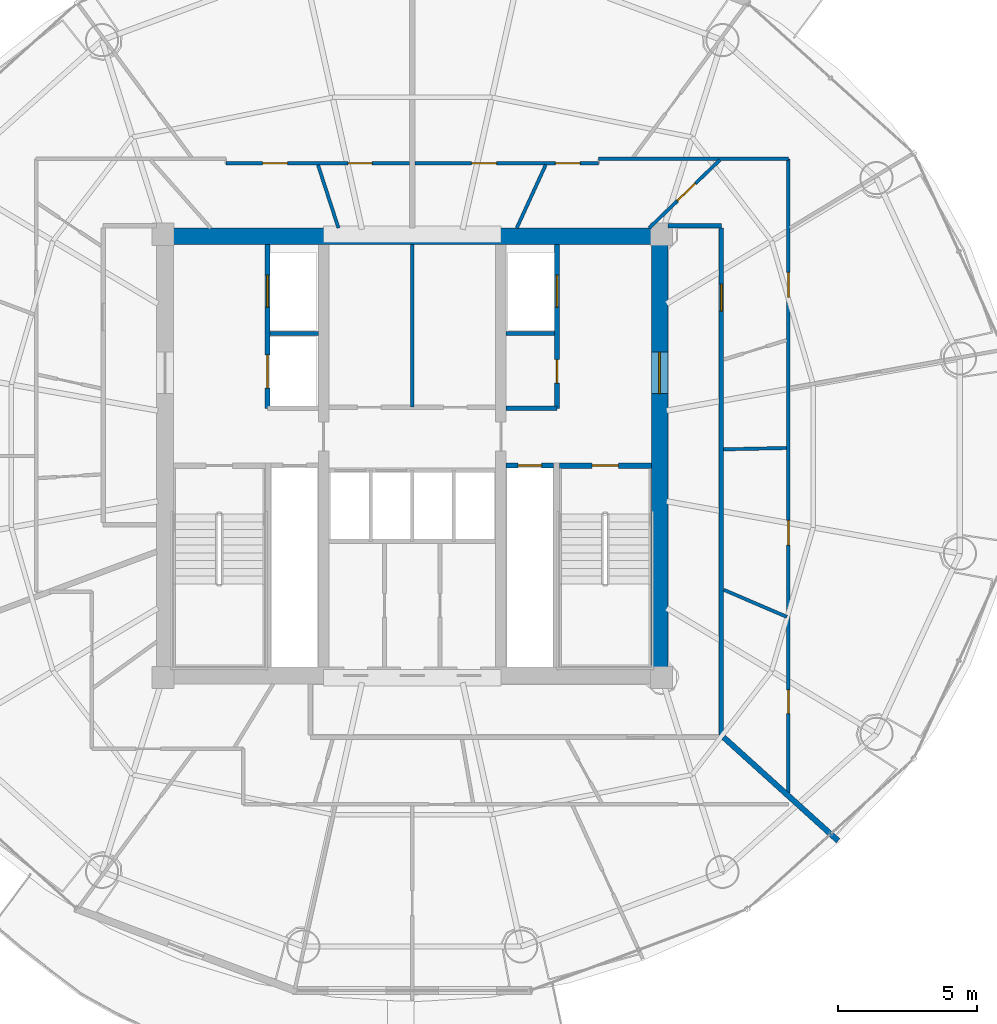
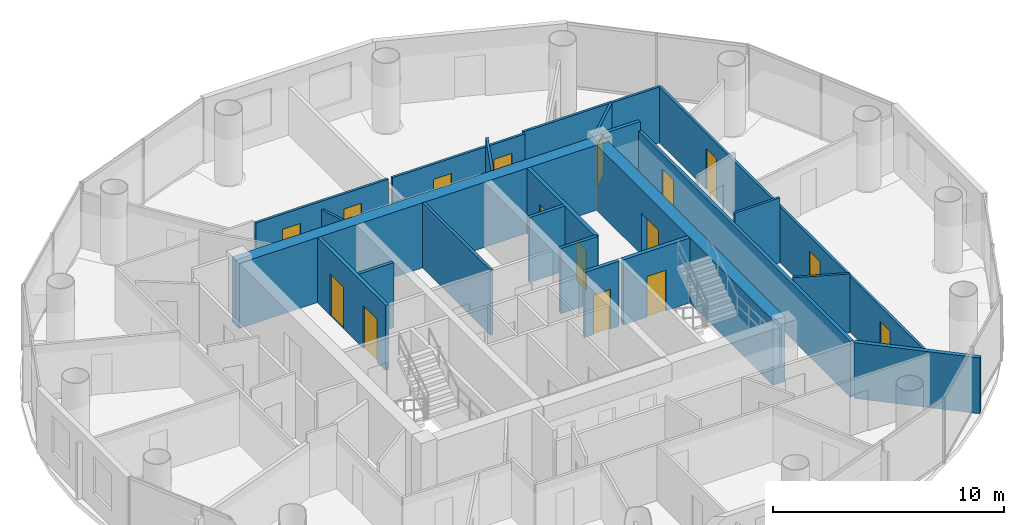
# One storey, part 22 of 26: 22 walls, 16 doors, 16 openings.
"""IFC4 building model written with IfcOpenShell, lengths in metres."""

from ifc_helpers import new_model, si_unit, direction, frame, frame_2d, origin, place, context, subcontext, project, spatial, rectangle, extrude, source, transform, mapped, material, layer, layer_set, type_object, element, fill, save


model = new_model("IFC4")

# Units and contexts
model_context = context("Model", 3, precision=1e-05, world=origin(), true_north=direction((-0.2419218956, 0.970295726276)))
body_context = subcontext(model_context, "Body", "Model", "MODEL_VIEW")
ifc_project = project(units=[si_unit("LENGTHUNIT", "METRE"), si_unit("AREAUNIT", "SQUARE_METRE"), si_unit("VOLUMEUNIT", "CUBIC_METRE"), si_unit("PLANEANGLEUNIT", "RADIAN"), si_unit("MASSUNIT", "GRAM", prefix="KILO")], contexts=[model_context])

# Site, building, storey
site_placement = place(None, origin())
site = spatial("IfcSite", under=ifc_project, at=site_placement, CompositionType="ELEMENT")
building_placement = place(site_placement, origin())
building = spatial("IfcBuilding", under=site, at=building_placement, Name="Cobrevalo Terracotta Tower", CompositionType="ELEMENT")
storey_placement = place(building_placement, frame((0.0, 0.0, 209.699951171875)))
storey = spatial("IfcBuildingStorey", under=building, at=storey_placement, Name="L55", CompositionType="ELEMENT", Elevation=209.699951171875)

# Wall
ifc_material_1 = material(Name="Concrete C55", Category="concrete")
ifc_layer_1 = layer(ifc_material_1, 0.60009765625)
ifc_layer_set_1 = layer_set([ifc_layer_1], Name="Concrete C55")
wall_type_1 = type_object("IfcWallType", Name="Core shear wall 600 mm Concrete C55", PredefinedType="SHEAR", material=ifc_layer_set_1)
wall_1_placement = place(storey_placement, frame((28.77490234375, 34.72509765625, 0.0), z_axis=(0.0, 0.0, 1.0), x_axis=(1.0, 0.0, 0.0)))
element("IfcWall", 1, at=wall_1_placement, inside=storey, type_object=wall_type_1, Name="L55 north core shear wall", PredefinedType="SHEAR", context=body_context, shape_type="SweptSolid", body=[
    extrude(rectangle(XDim=18.4501953125, YDim=0.60009765625, at=frame_2d((9.22509765625, 0.0))), origin(), (0.0, 0.0, 1.0), 3.43505859375),
])

# Wall, opening, door
wall_2_placement = place(storey_placement, frame((46.925048828125, 19.175048828125, 0.0), z_axis=(0.0, 0.0, 1.0), x_axis=(0.0, 1.0, 0.0)))
wall_2 = element("IfcWall", 2, at=wall_2_placement, inside=storey, type_object=wall_type_1, Name="L55 east core shear wall", PredefinedType="SHEAR", context=body_context, shape_type="SweptSolid", body=[
    extrude(rectangle(XDim=15.25, YDim=0.60009765625, at=frame_2d((7.625, 0.0))), origin(), (0.0, 0.0, 1.0), 3.43505859375),
])
opening_1_placement = place(wall_2_placement, frame((9.875, 0.0, 0.0)))
opening_1 = element("IfcOpeningElement", 3, at=opening_1_placement, cuts=wall_2, Name="Opening ID-14", PredefinedType="OPENING", context=body_context, shape_type="SweptSolid", body=[
    extrude(rectangle(XDim=1.5, YDim=2.199951171875, at=frame_2d((0.75, 1.10009765625))), frame((0.0, 0.31005859375, 0.0), z_axis=(0.0, -1.0, 0.0), x_axis=(1.0, 0.0, 0.0)), (0.0, 0.0, 1.0), 0.6201171875),
])
ifc_material_2 = material(Name="Galvanized fire-rated steel", Category="steel")
door_type_1 = type_object("IfcDoorType", Name="Core cross-lobby double fire door 1500x2200 EI 90", OperationType="NOTDEFINED", PredefinedType="DOOR", material=ifc_material_2)
shared_shape_1 = source(origin(), body_context, "Body", "SweptSolid", [
    extrude(rectangle(XDim=1.5, YDim=2.199951171875, at=frame_2d((0.75, 1.10009765625))), frame((0.0, 0.02490234375, 0.0), z_axis=(0.0, -1.0, 0.0), x_axis=(1.0, 0.0, 0.0)), (0.0, 0.0, 1.0), 0.050048828125),
])
door_1_placement = place(opening_1_placement, frame((1.5, 0.0, 0.0), z_axis=(0.0, 0.0, 1.0), x_axis=(-1.0, 0.0, 0.0)))
door_1 = element("IfcDoor", 4, at=door_1_placement, inside=storey, type_object=door_type_1, Name="L55 east firefighting lobby entrance door", OperationType="DOUBLE_DOOR_SINGLE_SWING", OverallHeight=2.199951171875, OverallWidth=1.5, PredefinedType="DOOR", context=body_context, shape_type="MappedRepresentation", body=[
    mapped(shared_shape_1, transform((0.0, 0.0, 0.0), scale=1.0)),
])
fill(opening_1, door_1)

# Walls
ifc_material_3 = material(Name="Gypsum board on steel stud", Category="steel")
ifc_layer_2 = layer(ifc_material_3, 0.159912109375)
ifc_layer_set_2 = layer_set([ifc_layer_2], Name="Gypsum board on steel stud")
wall_type_2 = type_object("IfcWallType", Name="Fire-rated corridor acoustic partition wall 160 mm", PredefinedType="PARTITIONING", material=ifc_layer_set_2)
for number, where, z_axis, x_axis, name in (
    (5, (32.860107421875, 31.219970703125, 0.0), (0.0, 0.0, 1.0), (1.0, 0.0, 0.0), "L55 interior partition IW-L55-FF1-M"),
    (6, (41.389892578125, 31.219970703125, 0.0), (0.0, 0.0, 1.0), (1.0, 0.0, 0.0), "L55 interior partition IW-L55-FF2-M"),
):
    element("IfcWall", number, at=place(storey_placement, frame(where, z_axis=z_axis, x_axis=x_axis)), inside=storey, type_object=wall_type_2, Name=name, PredefinedType="PARTITIONING", context=body_context, shape_type="SweptSolid", body=[
        extrude(rectangle(XDim=1.75, YDim=0.159912109375, at=frame_2d((0.875, 0.0))), origin(), (0.0, 0.0, 1.0), 3.43505859375),
    ])
wall_3_placement = place(storey_placement, frame((41.389892578125, 28.52001953125, 0.0), z_axis=(0.0, 0.0, 1.0), x_axis=(1.0, 0.0, 0.0)))
element("IfcWall", 7, at=wall_3_placement, inside=storey, type_object=wall_type_2, Name="L55 interior partition IW-L55-FF2-S", PredefinedType="PARTITIONING", context=body_context, shape_type="SweptSolid", body=[
    extrude(rectangle(XDim=1.840087890625, YDim=0.159912109375, at=frame_2d((0.919921875, 0.0))), origin(), (0.0, 0.0, 1.0), 3.43505859375),
])

# Wall, opening, door
wall_4_placement = place(storey_placement, frame((49.155029296875, 16.72509765625, 0.0), z_axis=(0.0, 0.0, 1.0), x_axis=(0.0, 1.0, 0.0)))
wall_4 = element("IfcWall", 8, at=wall_4_placement, inside=storey, type_object=wall_type_2, Name="L55 interior partition IW-L55-COR-E", PredefinedType="PARTITIONING", context=body_context, shape_type="SweptSolid", body=[
    extrude(rectangle(XDim=18.2998046875, YDim=0.159912109375, at=frame_2d((9.14990234375, 0.0))), origin(), (0.0, 0.0, 1.0), 2.950927734375),
])
opening_2_placement = place(wall_4_placement, frame((15.301513671875, 0.0, 0.0)))
opening_2 = element("IfcOpeningElement", 9, at=opening_2_placement, cuts=wall_4, Name="Opening ID-05", PredefinedType="OPENING", context=body_context, shape_type="SweptSolid", body=[
    extrude(rectangle(XDim=0.97998046875, YDim=2.199951171875, at=frame_2d((0.489990234375, 1.10009765625))), frame((0.0, 0.08984375, 0.0), z_axis=(0.0, -1.0, 0.0), x_axis=(1.0, 0.0, 0.0)), (0.0, 0.0, 1.0), 0.179931640625),
])
ifc_material_4 = material(Name="Solid hardwood timber", Category="wood")
door_type_2 = type_object("IfcDoorType", Name="Residence entrance fire-rated acoustic timber door 980x2200 EI 60", OperationType="NOTDEFINED", PredefinedType="DOOR", material=ifc_material_4)
shared_shape_2 = source(origin(), body_context, "Body", "SweptSolid", [
    extrude(rectangle(XDim=0.97998046875, YDim=2.199951171875, at=frame_2d((0.489990234375, 1.10009765625))), frame((0.0, 0.02490234375, 0.0), z_axis=(0.0, -1.0, 0.0), x_axis=(1.0, 0.0, 0.0)), (0.0, 0.0, 1.0), 0.050048828125),
])
door_2_placement = place(opening_2_placement, frame((0.97998046875, 0.0, 0.0), z_axis=(0.0, 0.0, 1.0), x_axis=(-1.0, 0.0, 0.0)))
door_2 = element("IfcDoor", 10, at=door_2_placement, inside=storey, type_object=door_type_2, Name="Flat L55C fire-rated apartment entrance door", OperationType="SINGLE_SWING_LEFT", OverallHeight=2.199951171875, OverallWidth=0.97998046875, PredefinedType="DOOR", context=body_context, shape_type="MappedRepresentation", body=[
    mapped(shared_shape_2, transform((0.0, 0.0, 0.0), scale=1.0)),
])
fill(opening_2, door_2)

# Wall
wall_5_placement = place(storey_placement, frame((47.22509765625, 35.10498046875, 0.0), z_axis=(0.0, 0.0, 1.0), x_axis=(1.0, 0.0, 0.0)))
element("IfcWall", 11, at=wall_5_placement, inside=storey, type_object=wall_type_2, Name="L55 interior partition IW-L55-COR-EN-CAP", PredefinedType="PARTITIONING", context=body_context, shape_type="SweptSolid", body=[
    extrude(rectangle(XDim=1.929931640625, YDim=0.159912109375, at=frame_2d((0.96484375, 0.0))), origin(), (0.0, 0.0, 1.0), 3.43505859375),
])

# Wall, opening, door
ifc_layer_3 = layer(ifc_material_3, 0.179931640625)
ifc_layer_set_3 = layer_set([ifc_layer_3], Name="Gypsum board on steel stud")
wall_type_3 = type_object("IfcWallType", Name="Fire-rated shaft & lobby acoustic partition wall 180 mm", PredefinedType="PARTITIONING", material=ifc_layer_set_3)
wall_6_placement = place(storey_placement, frame((41.389892578125, 26.449951171875, 0.0), z_axis=(0.0, 0.0, 1.0), x_axis=(1.0, 0.0, 0.0)))
wall_6 = element("IfcWall", 12, at=wall_6_placement, inside=storey, type_object=wall_type_3, Name="L55 interior partition IW-L55-RSE-N", PredefinedType="PARTITIONING", context=body_context, shape_type="SweptSolid", body=[
    extrude(rectangle(XDim=1.710205078125, YDim=0.179931640625, at=frame_2d((0.85498046875, 0.0))), origin(), (0.0, 0.0, 1.0), 3.43505859375),
])
opening_3_placement = place(wall_6_placement, frame((0.429931640625, 0.0, 0.0)))
opening_3 = element("IfcOpeningElement", 13, at=opening_3_placement, cuts=wall_6, Name="Opening ID-22", PredefinedType="OPENING", context=body_context, shape_type="SweptSolid", body=[
    extrude(rectangle(XDim=0.85009765625, YDim=2.10009765625, at=frame_2d((0.425048828125, 1.050048828125))), frame((0.0, 0.10009765625, 0.0), z_axis=(0.0, -1.0, 0.0), x_axis=(1.0, 0.0, 0.0)), (0.0, 0.0, 1.0), 0.199951171875),
])
ifc_material_5 = material(Name="Powder-coated steel", Category="steel")
door_type_3 = type_object("IfcDoorType", Name="Riser shaft & meter closet fire access door 850x2100 EI 60", OperationType="NOTDEFINED", PredefinedType="DOOR", material=ifc_material_5)
shared_shape_3 = source(origin(), body_context, "Body", "SweptSolid", [
    extrude(rectangle(XDim=0.85009765625, YDim=2.10009765625, at=frame_2d((0.425048828125, 1.050048828125))), frame((0.0, 0.02490234375, 0.0), z_axis=(0.0, -1.0, 0.0), x_axis=(1.0, 0.0, 0.0)), (0.0, 0.0, 1.0), 0.050048828125),
])
door_3_placement = place(opening_3_placement, origin())
door_3 = element("IfcDoor", 14, at=door_3_placement, inside=storey, type_object=door_type_3, Name="L55 riser access door RSE", OperationType="SINGLE_SWING_RIGHT", OverallHeight=2.10009765625, OverallWidth=0.85009765625, PredefinedType="DOOR", context=body_context, shape_type="MappedRepresentation", body=[
    mapped(shared_shape_3, transform((0.0, 0.0, 0.0), scale=1.0)),
])
fill(opening_3, door_3)

# Wall, openings, doors
wall_7_placement = place(storey_placement, frame((32.77001953125, 28.52001953125, 0.0), z_axis=(0.0, 0.0, 1.0), x_axis=(0.0, 1.0, 0.0)))
wall_7 = element("IfcWall", 15, at=wall_7_placement, inside=storey, type_object=wall_type_3, Name="L55 interior partition IW-L55-FF1-W", PredefinedType="PARTITIONING", context=body_context, shape_type="SweptSolid", body=[
    extrude(rectangle(XDim=5.905029296875, YDim=0.179931640625, at=frame_2d((2.95263671875, 0.0))), origin(), (0.0, 0.0, 1.0), 3.43505859375),
])
opening_4_placement = place(wall_7_placement, frame((3.655029296875, 0.0, 0.0)))
opening_4 = element("IfcOpeningElement", 16, at=opening_4_placement, cuts=wall_7, Name="Opening LD-02", PredefinedType="OPENING", context=body_context, shape_type="SweptSolid", body=[
    extrude(rectangle(XDim=1.14990234375, YDim=2.199951171875, at=frame_2d((0.574951171875, 1.10009765625))), frame((0.0, 0.10009765625, 0.0), z_axis=(0.0, -1.0, 0.0), x_axis=(1.0, 0.0, 0.0)), (0.0, 0.0, 1.0), 0.199951171875),
])
opening_5_placement = place(wall_7_placement, frame((0.72998046875, 0.0, 0.0)))
opening_5 = element("IfcOpeningElement", 17, at=opening_5_placement, cuts=wall_7, Name="Opening LD-03", PredefinedType="OPENING", context=body_context, shape_type="SweptSolid", body=[
    extrude(rectangle(XDim=1.199951171875, YDim=2.25, at=frame_2d((0.60009765625, 1.125))), frame((0.0, 0.10009765625, 0.0), z_axis=(0.0, -1.0, 0.0), x_axis=(1.0, 0.0, 0.0)), (0.0, 0.0, 1.0), 0.199951171875),
])
ifc_material_6 = material(Name="Brushed stainless steel", Category="steel")
door_type_4 = type_object("IfcDoorType", Name="Firefighting lift landing bi-parting sliding door 1150x2200 EI 120", OperationType="DOUBLE_DOOR_SLIDING", PredefinedType="DOOR", material=ifc_material_6)
shared_shape_4 = source(origin(), body_context, "Body", "SweptSolid", [
    extrude(rectangle(XDim=1.14990234375, YDim=2.199951171875, at=frame_2d((0.574951171875, 1.10009765625))), frame((0.0, 0.02490234375, 0.0), z_axis=(0.0, -1.0, 0.0), x_axis=(1.0, 0.0, 0.0)), (0.0, 0.0, 1.0), 0.050048828125),
])
door_4_placement = place(opening_4_placement, origin())
door_4 = element("IfcDoor", 18, at=door_4_placement, inside=storey, type_object=door_type_4, Name="L55 lift landing door FF-1", OperationType="DOUBLE_DOOR_SLIDING", OverallHeight=2.199951171875, OverallWidth=1.14990234375, PredefinedType="DOOR", context=body_context, shape_type="MappedRepresentation", body=[
    mapped(shared_shape_4, transform((0.0, 0.0, 0.0), scale=1.0)),
])
fill(opening_4, door_4)
door_type_5 = type_object("IfcDoorType", Name="Service lift landing bi-parting sliding door 1200x2250 EI 120", OperationType="DOUBLE_DOOR_SLIDING", PredefinedType="DOOR", material=ifc_material_6)
shared_shape_5 = source(origin(), body_context, "Body", "SweptSolid", [
    extrude(rectangle(XDim=1.199951171875, YDim=2.25, at=frame_2d((0.60009765625, 1.125))), frame((0.0, 0.02490234375, 0.0), z_axis=(0.0, -1.0, 0.0), x_axis=(1.0, 0.0, 0.0)), (0.0, 0.0, 1.0), 0.050048828125),
])
door_5_placement = place(opening_5_placement, origin())
door_5 = element("IfcDoor", 19, at=door_5_placement, inside=storey, type_object=door_type_5, Name="L55 lift landing door SV-1", OperationType="DOUBLE_DOOR_SLIDING", OverallHeight=2.25, OverallWidth=1.199951171875, PredefinedType="DOOR", context=body_context, shape_type="MappedRepresentation", body=[
    mapped(shared_shape_5, transform((0.0, 0.0, 0.0), scale=1.0)),
])
fill(opening_5, door_5)

wall_8_placement = place(storey_placement, frame((43.22998046875, 28.52001953125, 0.0), z_axis=(0.0, 0.0, 1.0), x_axis=(0.0, 1.0, 0.0)))
wall_8 = element("IfcWall", 20, at=wall_8_placement, inside=storey, type_object=wall_type_3, Name="L55 interior partition IW-L55-FF2-E", PredefinedType="PARTITIONING", context=body_context, shape_type="SweptSolid", body=[
    extrude(rectangle(XDim=5.905029296875, YDim=0.179931640625, at=frame_2d((2.95263671875, 0.0))), origin(), (0.0, 0.0, 1.0), 3.43505859375),
])
opening_6_placement = place(wall_8_placement, frame((0.905029296875, 0.0, 0.0)))
opening_6 = element("IfcOpeningElement", 21, at=opening_6_placement, cuts=wall_8, Name="Opening ID-22", PredefinedType="OPENING", context=body_context, shape_type="SweptSolid", body=[
    extrude(rectangle(XDim=0.85009765625, YDim=2.10009765625, at=frame_2d((0.425048828125, 1.050048828125))), frame((0.0, 0.10009765625, 0.0), z_axis=(0.0, -1.0, 0.0), x_axis=(1.0, 0.0, 0.0)), (0.0, 0.0, 1.0), 0.199951171875),
])
opening_7_placement = place(wall_8_placement, frame((3.655029296875, 0.0, 0.0)))
opening_7 = element("IfcOpeningElement", 22, at=opening_7_placement, cuts=wall_8, Name="Opening LD-02", PredefinedType="OPENING", context=body_context, shape_type="SweptSolid", body=[
    extrude(rectangle(XDim=1.14990234375, YDim=2.199951171875, at=frame_2d((0.574951171875, 1.10009765625))), frame((0.0, 0.10009765625, 0.0), z_axis=(0.0, -1.0, 0.0), x_axis=(1.0, 0.0, 0.0)), (0.0, 0.0, 1.0), 0.199951171875),
])
door_6_placement = place(opening_6_placement, frame((0.85009765625, 0.0, 0.0), z_axis=(0.0, 0.0, 1.0), x_axis=(-1.0, 0.0, 0.0)))
door_6 = element("IfcDoor", 23, at=door_6_placement, inside=storey, type_object=door_type_3, Name="L55 housekeeping store door", OperationType="SINGLE_SWING_RIGHT", OverallHeight=2.10009765625, OverallWidth=0.85009765625, PredefinedType="DOOR", context=body_context, shape_type="MappedRepresentation", body=[
    mapped(shared_shape_3, transform((0.0, 0.0, 0.0), scale=1.0)),
])
fill(opening_6, door_6)
door_7_placement = place(opening_7_placement, origin())
door_7 = element("IfcDoor", 24, at=door_7_placement, inside=storey, type_object=door_type_4, Name="L55 lift landing door FF-2", OperationType="DOUBLE_DOOR_SLIDING", OverallHeight=2.199951171875, OverallWidth=1.14990234375, PredefinedType="DOOR", context=body_context, shape_type="MappedRepresentation", body=[
    mapped(shared_shape_4, transform((0.0, 0.0, 0.0), scale=1.0)),
])
fill(opening_7, door_7)

# Walls
ifc_material_7 = material(Name="Autoclaved aerated concrete block", Category="concrete")
ifc_layer_4 = layer(ifc_material_7, 0.199951171875)
ifc_layer_set_4 = layer_set([ifc_layer_4], Name="Autoclaved aerated concrete block")
wall_type_4 = type_object("IfcWallType", Name="Fire-rated stair, shaft & demising masonry wall 200 mm", PredefinedType="PARTITIONING", material=ifc_layer_set_4)
wall_9_placement = place(storey_placement, frame((49.235107421875, 16.647216796875, 0.0), z_axis=(0.0, 0.0, 1.0), x_axis=(0.741935290449, -0.670471494387, 0.0)))
element("IfcWall", 25, at=wall_9_placement, inside=storey, type_object=wall_type_4, Name="L55 interior partition IW-L55-DEM-3", PredefinedType="PARTITIONING", context=body_context, shape_type="SweptSolid", body=[
    extrude(rectangle(XDim=5.572021484375, YDim=0.199951171875, at=frame_2d((2.7861328125, 0.0))), origin(), (0.0, 0.0, 1.0), 2.950927734375),
])
ifc_layer_5 = layer(ifc_material_7, 0.139892578125)
ifc_layer_set_5 = layer_set([ifc_layer_5], Name="Autoclaved aerated concrete block")
wall_type_5 = type_object("IfcWallType", Name="Moisture-resistant wet-room & core service partition 140 mm", PredefinedType="PARTITIONING", material=ifc_layer_set_5)
wall_10_placement = place(storey_placement, frame((38.0, 28.56005859375, 0.0), z_axis=(0.0, 0.0, 1.0), x_axis=(0.0, 1.0, 0.0)))
element("IfcWall", 26, at=wall_10_placement, inside=storey, type_object=wall_type_5, Name="L55 interior partition IW-L55-KVN-1", PredefinedType="PARTITIONING", context=body_context, shape_type="SweptSolid", body=[
    extrude(rectangle(XDim=5.864990234375, YDim=0.139892578125, at=frame_2d((2.9326171875, 0.0))), origin(), (0.0, 0.0, 1.0), 3.43505859375),
])

# Wall, openings, doors
ifc_layer_6 = layer(ifc_material_3, 0.1201171875)
ifc_layer_set_6 = layer_set([ifc_layer_6], Name="Gypsum board on steel stud")
wall_type_6 = type_object("IfcWallType", Name="Residential internal acoustic stud partition 120 mm", PredefinedType="PARTITIONING", material=ifc_layer_set_6)
wall_11_placement = place(storey_placement, frame((31.27490234375, 37.364990234375, 0.0), z_axis=(0.0, 0.0, 1.0), x_axis=(1.0, 0.0, 0.0)))
wall_11 = element("IfcWall", 27, at=wall_11_placement, inside=storey, type_object=wall_type_6, Name="L55 interior partition IW-L55-U1-RING4_0", PredefinedType="PARTITIONING", context=body_context, shape_type="SweptSolid", body=[
    extrude(rectangle(XDim=6.623046875, YDim=0.1201171875, at=frame_2d((3.3115234375, 0.0))), origin(), (0.0, 0.0, 1.0), 2.950927734375),
])
opening_8_placement = place(wall_11_placement, frame((4.413330078125, 0.0, 0.0)))
opening_8 = element("IfcOpeningElement", 28, at=opening_8_placement, cuts=wall_11, Name="Opening ID-19", PredefinedType="OPENING", context=body_context, shape_type="SweptSolid", body=[
    extrude(rectangle(XDim=0.860107421875, YDim=2.14990234375, at=frame_2d((0.43017578125, 1.074951171875))), frame((0.0, 0.070068359375, 0.0), z_axis=(0.0, -1.0, 0.0), x_axis=(1.0, 0.0, 0.0)), (0.0, 0.0, 1.0), 0.14013671875),
])
opening_9_placement = place(wall_11_placement, frame((1.327880859375, 0.0, 0.0)))
opening_9 = element("IfcOpeningElement", 29, at=opening_9_placement, cuts=wall_11, Name="Opening ID-12", PredefinedType="OPENING", context=body_context, shape_type="SweptSolid", body=[
    extrude(rectangle(XDim=0.89990234375, YDim=2.14990234375, at=frame_2d((0.449951171875, 1.074951171875))), frame((0.0, 0.070068359375, 0.0), z_axis=(0.0, -1.0, 0.0), x_axis=(1.0, 0.0, 0.0)), (0.0, 0.0, 1.0), 0.14013671875),
])
ifc_material_8 = material(Name="Moisture-sealed timber", Category="wood")
door_type_6 = type_object("IfcDoorType", Name="Suite bathroom internal timber door 860x2150", OperationType="NOTDEFINED", PredefinedType="DOOR", material=ifc_material_8)
shared_shape_6 = source(origin(), body_context, "Body", "SweptSolid", [
    extrude(rectangle(XDim=0.860107421875, YDim=2.14990234375, at=frame_2d((0.43017578125, 1.074951171875))), frame((0.0, 0.02490234375, 0.0), z_axis=(0.0, -1.0, 0.0), x_axis=(1.0, 0.0, 0.0)), (0.0, 0.0, 1.0), 0.050048828125),
])
door_8_placement = place(opening_8_placement, frame((0.860107421875, 0.0, 0.0), z_axis=(0.0, 0.0, 1.0), x_axis=(-1.0, 0.0, 0.0)))
door_8 = element("IfcDoor", 30, at=door_8_placement, inside=storey, type_object=door_type_6, Name="Flat L55A Guest Bathroom internal door", OperationType="SINGLE_SWING_RIGHT", OverallHeight=2.14990234375, OverallWidth=0.860107421875, PredefinedType="DOOR", context=body_context, shape_type="MappedRepresentation", body=[
    mapped(shared_shape_6, transform((0.0, 0.0, 0.0), scale=1.0)),
])
fill(opening_8, door_8)
ifc_material_9 = material(Name="Engineered timber", Category="wood")
door_type_7 = type_object("IfcDoorType", Name="Internal residence & suite timber door 900x2150", OperationType="NOTDEFINED", PredefinedType="DOOR", material=ifc_material_9)
shared_shape_7 = source(origin(), body_context, "Body", "SweptSolid", [
    extrude(rectangle(XDim=0.89990234375, YDim=2.14990234375, at=frame_2d((0.449951171875, 1.074951171875))), frame((0.0, 0.02490234375, 0.0), z_axis=(0.0, -1.0, 0.0), x_axis=(1.0, 0.0, 0.0)), (0.0, 0.0, 1.0), 0.050048828125),
])
door_9_placement = place(opening_9_placement, frame((0.89990234375, 0.0, 0.0), z_axis=(0.0, 0.0, 1.0), x_axis=(-1.0, 0.0, 0.0)))
door_9 = element("IfcDoor", 31, at=door_9_placement, inside=storey, type_object=door_type_7, Name="Flat L55A Home Office Study internal door", OperationType="SINGLE_SWING_LEFT", OverallHeight=2.14990234375, OverallWidth=0.89990234375, PredefinedType="DOOR", context=body_context, shape_type="MappedRepresentation", body=[
    mapped(shared_shape_7, transform((0.0, 0.0, 0.0), scale=1.0)),
])
fill(opening_9, door_9)

# Wall
wall_12_placement = place(storey_placement, frame((35.335693359375, 35.02685546875, 0.0), z_axis=(0.0, 0.0, 1.0), x_axis=(-0.308083476138, 0.951359328398, 0.0)))
element("IfcWall", 32, at=wall_12_placement, inside=storey, type_object=wall_type_6, Name="L55 interior partition IW-L55-U1-IRAD1", PredefinedType="PARTITIONING", context=body_context, shape_type="SweptSolid", body=[
    extrude(rectangle(XDim=2.3955078125, YDim=0.1201171875, at=frame_2d((1.19775390625, 0.0))), origin(), (0.0, 0.0, 1.0), 2.52001953125),
])

# Wall, openings, doors
wall_13_placement = place(storey_placement, frame((38.10205078125, 37.364990234375, 0.0), z_axis=(0.0, 0.0, 1.0), x_axis=(1.0, 0.0, 0.0)))
wall_13 = element("IfcWall", 33, at=wall_13_placement, inside=storey, type_object=wall_type_6, Name="L55 interior partition IW-L55-U3-RING0_0", PredefinedType="PARTITIONING", context=body_context, shape_type="SweptSolid", body=[
    extrude(rectangle(XDim=6.623046875, YDim=0.1201171875, at=frame_2d((3.3115234375, 0.0))), origin(), (0.0, 0.0, 1.0), 2.950927734375),
])
opening_10_placement = place(wall_13_placement, frame((5.059814453125, 0.0, 0.0)))
opening_10 = element("IfcOpeningElement", 34, at=opening_10_placement, cuts=wall_13, Name="Opening ID-12", PredefinedType="OPENING", context=body_context, shape_type="SweptSolid", body=[
    extrude(rectangle(XDim=0.89990234375, YDim=2.14990234375, at=frame_2d((0.449951171875, 1.074951171875))), frame((0.0, 0.070068359375, 0.0), z_axis=(0.0, -1.0, 0.0), x_axis=(1.0, 0.0, 0.0)), (0.0, 0.0, 1.0), 0.14013671875),
])
opening_11_placement = place(wall_13_placement, frame((2.040283203125, 0.0, 0.0)))
opening_11 = element("IfcOpeningElement", 35, at=opening_11_placement, cuts=wall_13, Name="Opening ID-12", PredefinedType="OPENING", context=body_context, shape_type="SweptSolid", body=[
    extrude(rectangle(XDim=0.89990234375, YDim=2.14990234375, at=frame_2d((0.449951171875, 1.074951171875))), frame((0.0, 0.070068359375, 0.0), z_axis=(0.0, -1.0, 0.0), x_axis=(1.0, 0.0, 0.0)), (0.0, 0.0, 1.0), 0.14013671875),
])
door_10_placement = place(opening_10_placement, origin())
door_10 = element("IfcDoor", 36, at=door_10_placement, inside=storey, type_object=door_type_7, Name="Flat L55C Penthouse Family Lounge internal door", OperationType="SINGLE_SWING_RIGHT", OverallHeight=2.14990234375, OverallWidth=0.89990234375, PredefinedType="DOOR", context=body_context, shape_type="MappedRepresentation", body=[
    mapped(shared_shape_7, transform((0.0, 0.0, 0.0), scale=1.0)),
])
fill(opening_10, door_10)
door_11_placement = place(opening_11_placement, frame((0.89990234375, 0.0, 0.0), z_axis=(0.0, 0.0, 1.0), x_axis=(-1.0, 0.0, 0.0)))
door_11 = element("IfcDoor", 37, at=door_11_placement, inside=storey, type_object=door_type_7, Name="Flat L55C Utility Closet internal door", OperationType="SINGLE_SWING_LEFT", OverallHeight=2.14990234375, OverallWidth=0.89990234375, PredefinedType="DOOR", context=body_context, shape_type="MappedRepresentation", body=[
    mapped(shared_shape_7, transform((0.0, 0.0, 0.0), scale=1.0)),
])
fill(opening_11, door_11)

# Wall
wall_14_placement = place(storey_placement, frame((44.72509765625, 37.52490234375, 0.0), z_axis=(0.0, 0.0, 1.0), x_axis=(1.0, 0.0, 0.0)))
element("IfcWall", 38, at=wall_14_placement, inside=storey, type_object=wall_type_6, Name="L55 interior partition IW-L55-U3-RING2_0", PredefinedType="PARTITIONING", context=body_context, shape_type="SweptSolid", body=[
    extrude(rectangle(XDim=6.849853515625, YDim=0.1201171875, at=frame_2d((3.4248046875, 0.0))), origin(), (0.0, 0.0, 1.0), 2.950927734375),
])

# Wall, openings, doors
wall_15_placement = place(storey_placement, frame((51.574951171875, 37.52490234375, 0.0), z_axis=(0.0, 0.0, 1.0), x_axis=(0.0, -1.0, 0.0)))
wall_15 = element("IfcWall", 39, at=wall_15_placement, inside=storey, type_object=wall_type_6, Name="L55 interior partition IW-L55-U3-RING3_0", PredefinedType="PARTITIONING", context=body_context, shape_type="SweptSolid", body=[
    extrude(rectangle(XDim=22.89013671875, YDim=0.1201171875, at=frame_2d((11.445068359375, 0.0))), origin(), (0.0, 0.0, 1.0), 2.950927734375),
])
opening_12_placement = place(wall_15_placement, frame((4.10205078125, 0.0, 0.0)))
opening_12 = element("IfcOpeningElement", 40, at=opening_12_placement, cuts=wall_15, Name="Opening ID-12", PredefinedType="OPENING", context=body_context, shape_type="SweptSolid", body=[
    extrude(rectangle(XDim=0.89990234375, YDim=2.14990234375, at=frame_2d((0.449951171875, 1.074951171875))), frame((0.0, 0.070068359375, 0.0), z_axis=(0.0, -1.0, 0.0), x_axis=(1.0, 0.0, 0.0)), (0.0, 0.0, 1.0), 0.14013671875),
])
opening_13_placement = place(wall_15_placement, frame((19.162841796875, 0.0, 0.0)))
opening_13 = element("IfcOpeningElement", 41, at=opening_13_placement, cuts=wall_15, Name="Opening ID-19", PredefinedType="OPENING", context=body_context, shape_type="SweptSolid", body=[
    extrude(rectangle(XDim=0.860107421875, YDim=2.14990234375, at=frame_2d((0.43017578125, 1.074951171875))), frame((0.0, 0.070068359375, 0.0), z_axis=(0.0, -1.0, 0.0), x_axis=(1.0, 0.0, 0.0)), (0.0, 0.0, 1.0), 0.14013671875),
])
opening_14_placement = place(wall_15_placement, frame((13.04638671875, 0.0, 0.0)))
opening_14 = element("IfcOpeningElement", 42, at=opening_14_placement, cuts=wall_15, Name="Opening ID-12", PredefinedType="OPENING", context=body_context, shape_type="SweptSolid", body=[
    extrude(rectangle(XDim=0.89990234375, YDim=2.14990234375, at=frame_2d((0.449951171875, 1.074951171875))), frame((0.0, 0.070068359375, 0.0), z_axis=(0.0, -1.0, 0.0), x_axis=(1.0, 0.0, 0.0)), (0.0, 0.0, 1.0), 0.14013671875),
])
door_12_placement = place(opening_13_placement, frame((0.860107421875, 0.0, 0.0), z_axis=(0.0, 0.0, 1.0), x_axis=(-1.0, 0.0, 0.0)))
door_12 = element("IfcDoor", 43, at=door_12_placement, inside=storey, type_object=door_type_6, Name="Flat L55C Guest Bathroom internal door", OperationType="SINGLE_SWING_LEFT", OverallHeight=2.14990234375, OverallWidth=0.860107421875, PredefinedType="DOOR", context=body_context, shape_type="MappedRepresentation", body=[
    mapped(shared_shape_6, transform((0.0, 0.0, 0.0), scale=1.0)),
])
fill(opening_13, door_12)
door_13_placement = place(opening_12_placement, origin())
door_13 = element("IfcDoor", 44, at=door_13_placement, inside=storey, type_object=door_type_7, Name="Flat L55C Master Bedroom internal door", OperationType="SINGLE_SWING_RIGHT", OverallHeight=2.14990234375, OverallWidth=0.89990234375, PredefinedType="DOOR", context=body_context, shape_type="MappedRepresentation", body=[
    mapped(shared_shape_7, transform((0.0, 0.0, 0.0), scale=1.0)),
])
fill(opening_12, door_13)
door_14_placement = place(opening_14_placement, frame((0.89990234375, 0.0, 0.0), z_axis=(0.0, 0.0, 1.0), x_axis=(-1.0, 0.0, 0.0)))
door_14 = element("IfcDoor", 45, at=door_14_placement, inside=storey, type_object=door_type_7, Name="Flat L55C Home Office Study internal door", OperationType="SINGLE_SWING_RIGHT", OverallHeight=2.14990234375, OverallWidth=0.89990234375, PredefinedType="DOOR", context=body_context, shape_type="MappedRepresentation", body=[
    mapped(shared_shape_7, transform((0.0, 0.0, 0.0), scale=1.0)),
])
fill(opening_14, door_14)

# Walls
wall_16_placement = place(storey_placement, frame((49.23681640625, 21.972900390625, 0.0), z_axis=(0.0, 0.0, 1.0), x_axis=(0.91880901308, -0.394702416364, 0.0)))
element("IfcWall", 46, at=wall_16_placement, inside=storey, type_object=wall_type_6, Name="L55 interior partition IW-L55-U3-IRAD1", PredefinedType="PARTITIONING", context=body_context, shape_type="SweptSolid", body=[
    extrude(rectangle(XDim=2.48291015625, YDim=0.1201171875, at=frame_2d((1.241455078125, 0.0))), origin(), (0.0, 0.0, 1.0), 3.110107421875),
])
wall_17_placement = place(storey_placement, frame((49.237060546875, 27.039306640625, 0.0), z_axis=(0.0, 0.0, 1.0), x_axis=(0.999772223164, 0.021342487922, 0.0)))
element("IfcWall", 47, at=wall_17_placement, inside=storey, type_object=wall_type_6, Name="L55 interior partition IW-L55-U3-IRAD2", PredefinedType="PARTITIONING", context=body_context, shape_type="SweptSolid", body=[
    extrude(rectangle(XDim=2.2763671875, YDim=0.1201171875, at=frame_2d((1.13818359375, 0.0))), origin(), (0.0, 0.0, 1.0), 3.43505859375),
])

# Wall, opening, door
wall_18_placement = place(storey_placement, frame((46.548583984375, 35.0263671875, 0.0), z_axis=(0.0, 0.0, 1.0), x_axis=(0.720557461206, 0.693395230082, 0.0)))
wall_18 = element("IfcWall", 48, at=wall_18_placement, inside=storey, type_object=wall_type_6, Name="L55 interior partition IW-L55-U3-IRAD4", PredefinedType="PARTITIONING", context=body_context, shape_type="SweptSolid", body=[
    extrude(rectangle(XDim=3.541259765625, YDim=0.1201171875, at=frame_2d((1.7705078125, 0.0))), origin(), (0.0, 0.0, 1.0), 2.950927734375),
])
opening_15_placement = place(wall_18_placement, frame((1.418701171875, 0.0, 0.0)))
opening_15 = element("IfcOpeningElement", 49, at=opening_15_placement, cuts=wall_18, Name="Opening ID-12", PredefinedType="OPENING", context=body_context, shape_type="SweptSolid", body=[
    extrude(rectangle(XDim=0.89990234375, YDim=2.14990234375, at=frame_2d((0.449951171875, 1.074951171875))), frame((0.0, 0.070068359375, 0.0), z_axis=(0.0, -1.0, 0.0), x_axis=(1.0, 0.0, 0.0)), (0.0, 0.0, 1.0), 0.14013671875),
])
door_15_placement = place(opening_15_placement, origin())
door_15 = element("IfcDoor", 50, at=door_15_placement, inside=storey, type_object=door_type_7, Name="Flat L55C Kitchen internal door", OperationType="SINGLE_SWING_LEFT", OverallHeight=2.14990234375, OverallWidth=0.89990234375, PredefinedType="DOOR", context=body_context, shape_type="MappedRepresentation", body=[
    mapped(shared_shape_7, transform((0.0, 0.0, 0.0), scale=1.0)),
])
fill(opening_15, door_15)

# Wall
wall_19_placement = place(storey_placement, frame((41.77099609375, 35.02685546875, 0.0), z_axis=(0.0, 0.0, 1.0), x_axis=(0.416688202143, 0.909049471808, 0.0)))
element("IfcWall", 51, at=wall_19_placement, inside=storey, type_object=wall_type_6, Name="L55 interior partition IW-L55-U3-IRAD5", PredefinedType="PARTITIONING", context=body_context, shape_type="SweptSolid", body=[
    extrude(rectangle(XDim=2.510009765625, YDim=0.1201171875, at=frame_2d((1.2548828125, 0.0))), origin(), (0.0, 0.0, 1.0), 3.43505859375),
])

# Wall, opening, door
ifc_material_10 = material(Name="Concrete C50", Category="concrete")
ifc_layer_7 = layer(ifc_material_10, 0.199951171875)
ifc_layer_set_7 = layer_set([ifc_layer_7], Name="Concrete C50")
wall_type_7 = type_object("IfcWallType", Name="Structural core & podium stair-shaft RC wall 200 mm Concrete C50", PredefinedType="SOLIDWALL", material=ifc_layer_set_7)
wall_20_placement = place(storey_placement, frame((43.304931640625, 26.449951171875, 0.0), z_axis=(0.0, 0.0, 1.0), x_axis=(1.0, 0.0, 0.0)))
wall_20 = element("IfcWall", 52, at=wall_20_placement, inside=storey, type_object=wall_type_7, Name="L55 ST-2 north structural shaft wall", PredefinedType="SOLIDWALL", context=body_context, shape_type="SweptSolid", body=[
    extrude(rectangle(XDim=3.320068359375, YDim=0.199951171875, at=frame_2d((1.66015625, 0.0))), origin(), (0.0, 0.0, 1.0), 3.43505859375),
])
opening_16_placement = place(wall_20_placement, frame((1.18505859375, 0.0, 0.0)))
opening_16 = element("IfcOpeningElement", 53, at=opening_16_placement, cuts=wall_20, Name="Opening ID-04", PredefinedType="OPENING", context=body_context, shape_type="SweptSolid", body=[
    extrude(rectangle(XDim=0.949951171875, YDim=2.14990234375, at=frame_2d((0.47509765625, 1.074951171875))), frame((0.0, 0.10986328125, 0.0), z_axis=(0.0, -1.0, 0.0), x_axis=(1.0, 0.0, 0.0)), (0.0, 0.0, 1.0), 0.219970703125),
])
door_type_8 = type_object("IfcDoorType", Name="Stair & firefighting lobby fire door 950x2150 EI 90", OperationType="NOTDEFINED", PredefinedType="DOOR", material=ifc_material_2)
shared_shape_8 = source(origin(), body_context, "Body", "SweptSolid", [
    extrude(rectangle(XDim=0.949951171875, YDim=2.14990234375, at=frame_2d((0.47509765625, 1.074951171875))), frame((0.0, 0.02490234375, 0.0), z_axis=(0.0, -1.0, 0.0), x_axis=(1.0, 0.0, 0.0)), (0.0, 0.0, 1.0), 0.050048828125),
])
door_16_placement = place(opening_16_placement, frame((0.949951171875, 0.0, 0.0), z_axis=(0.0, 0.0, 1.0), x_axis=(-1.0, 0.0, 0.0)))
door_16 = element("IfcDoor", 54, at=door_16_placement, inside=storey, type_object=door_type_8, Name="L55 protected stair ST2 fire door", OperationType="SINGLE_SWING_RIGHT", OverallHeight=2.14990234375, OverallWidth=0.949951171875, PredefinedType="DOOR", context=body_context, shape_type="MappedRepresentation", body=[
    mapped(shared_shape_8, transform((0.0, 0.0, 0.0), scale=1.0)),
])
fill(opening_16, door_16)

save(model, "model.ifc")
